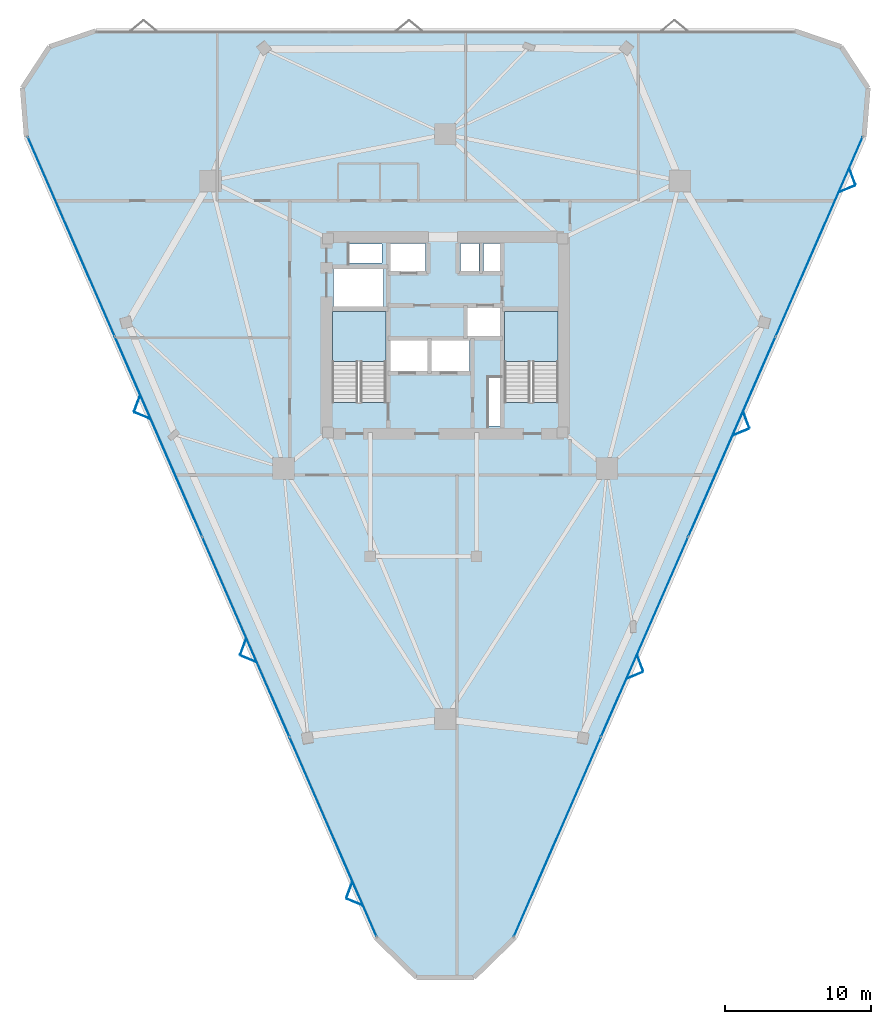
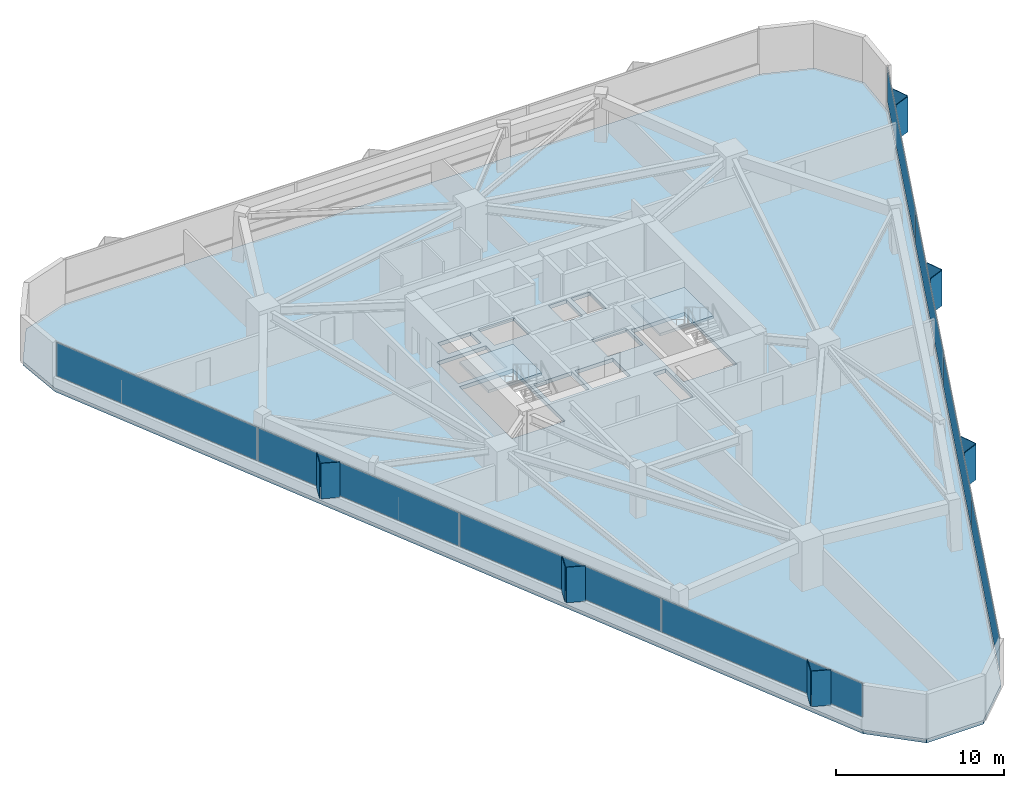
# One storey, part 10 of 14: 20 plates, 3 slabs, 4 elements without a shape of their own.
"""IFC4 building model written with IfcOpenShell, lengths in metres."""

from ifc_helpers import new_model, si_unit, direction, frame, origin, origin_2d, place, context, subcontext, project, spatial, polyline, rectangle, outline, extrude, material, layer, layer_set, type_object, element, aggregate, save


model = new_model("IFC4")

# Units and contexts
model_context = context("Model", 3, precision=1e-05, world=origin(), true_north=direction((0.0, 1.0)))
body_context = subcontext(model_context, "Body", "Model", "MODEL_VIEW")
ifc_project = project(units=[si_unit("LENGTHUNIT", "METRE"), si_unit("AREAUNIT", "SQUARE_METRE"), si_unit("VOLUMEUNIT", "CUBIC_METRE"), si_unit("PLANEANGLEUNIT", "RADIAN"), si_unit("MASSUNIT", "GRAM", prefix="KILO")], contexts=[model_context])

# Site, building, storey
site_placement = place(None, origin())
site = spatial("IfcSite", under=ifc_project, at=site_placement, CompositionType="ELEMENT")
building_placement = place(site_placement, origin())
building = spatial("IfcBuilding", under=site, at=building_placement, Name="Talyreon Biosciences Tower", CompositionType="ELEMENT")
storey_placement = place(building_placement, frame((0.0, 0.0, 138.14990234375)))
storey = spatial("IfcBuildingStorey", under=building, at=storey_placement, Name="L36", CompositionType="ELEMENT", Elevation=138.14990234375)

# Curtain wall, plates
ifc_material_1 = material(Name="Thermally broken aluminium and low-E glazing", Category="aluminium")
ifc_layer_1 = layer(ifc_material_1, 0.18505859375)
ifc_layer_set_1 = layer_set([ifc_layer_1], Name="Thermally broken aluminium and low-E glazing")
curtain_wall_type = type_object("IfcCurtainWallType", Name="CurtainWall_Zone3Bioprocess", PredefinedType="NOTDEFINED", material=ifc_layer_set_1)
curtain_wall_1_placement = place(storey_placement, origin())
curtain_wall_1 = element("IfcCurtainWall", 1, at=curtain_wall_1_placement, inside=storey, type_object=curtain_wall_type, Name="L36 Unitised Curtain Wall FCW-L36-00", PredefinedType="NOTDEFINED")
ifc_material_2 = material(Name="Triple-silver low-E insulated glazing", Category="glass")
ifc_layer_2 = layer(ifc_material_2, 0.031982421875)
ifc_layer_set_2 = layer_set([ifc_layer_2], Name="Triple-silver low-E insulated glazing")
plate_type_1 = type_object("IfcPlateType", Name="CWGlazingPanel_32", PredefinedType="CURTAIN_PANEL", material=ifc_layer_set_2)
plate_1_placement = place(storey_placement, frame((58.305908203125, 33.604736328125, 0.875), z_axis=(0.0, 0.0, 1.0), x_axis=(-0.399882429801, 0.916566441856, 0.0)))
plate_1 = element("IfcPlate", 2, at=plate_1_placement, type_object=plate_type_1, Name="CW4 panel 1.1", PredefinedType="CURTAIN_PANEL", context=body_context, shape_type="SweptSolid", body=[
    extrude(rectangle(XDim=14.88037109375, YDim=0.031982421875, at=origin_2d()), origin(), (0.0, 0.0, 1.0), 2.43505859375),
])
plate_2_placement = place(storey_placement, frame((52.322998046875, 47.318115234375, 0.875), z_axis=(0.0, 0.0, 1.0), x_axis=(-0.399882429801, 0.916566441856, 0.0)))
plate_2 = element("IfcPlate", 3, at=plate_2_placement, type_object=plate_type_1, Name="CW4 panel 2.1", PredefinedType="CURTAIN_PANEL", context=body_context, shape_type="SweptSolid", body=[
    extrude(rectangle(XDim=14.9130859375, YDim=0.031982421875, at=origin_2d()), origin(), (0.0, 0.0, 1.0), 2.43505859375),
])
plate_3_placement = place(storey_placement, frame((46.333740234375, 61.04638671875, 0.875), z_axis=(0.0, 0.0, 1.0), x_axis=(-0.399882429801, 0.916566441856, 0.0)))
plate_3 = element("IfcPlate", 4, at=plate_3_placement, type_object=plate_type_1, Name="CW4 panel 3.1", PredefinedType="CURTAIN_PANEL", context=body_context, shape_type="SweptSolid", body=[
    extrude(rectangle(XDim=14.9130859375, YDim=0.031982421875, at=origin_2d()), origin(), (0.0, 0.0, 1.0), 2.43505859375),
])
plate_4_placement = place(storey_placement, frame((40.350830078125, 74.759765625, 0.875), z_axis=(0.0, 0.0, 1.0), x_axis=(-0.399882429801, 0.916566441856, 0.0)))
plate_4 = element("IfcPlate", 5, at=plate_4_placement, type_object=plate_type_1, Name="CW4 panel 4.1", PredefinedType="CURTAIN_PANEL", context=body_context, shape_type="SweptSolid", body=[
    extrude(rectangle(XDim=14.88037109375, YDim=0.031982421875, at=origin_2d()), origin(), (0.0, 0.0, 1.0), 2.43505859375),
])
aggregate(curtain_wall_1, [plate_1, plate_2, plate_3, plate_4])

curtain_wall_2_placement = place(storey_placement, origin())
curtain_wall_2 = element("IfcCurtainWall", 6, at=curtain_wall_2_placement, inside=storey, type_object=curtain_wall_type, Name="L36 Unitised Curtain Wall FCW-L36-08", PredefinedType="NOTDEFINED")
plate_5_placement = place(storey_placement, frame((91.649169921875, 74.759765625, 0.875), z_axis=(0.0, 0.0, 1.0), x_axis=(-0.399882429801, -0.916566441856, 0.0)))
plate_5 = element("IfcPlate", 7, at=plate_5_placement, type_object=plate_type_1, Name="CW4 panel 1.1", PredefinedType="CURTAIN_PANEL", context=body_context, shape_type="SweptSolid", body=[
    extrude(rectangle(XDim=14.88037109375, YDim=0.031982421875, at=origin_2d()), origin(), (0.0, 0.0, 1.0), 2.43505859375),
])
plate_6_placement = place(storey_placement, frame((85.666259765625, 61.04638671875, 0.875), z_axis=(0.0, 0.0, 1.0), x_axis=(-0.399882429801, -0.916566441856, 0.0)))
plate_6 = element("IfcPlate", 8, at=plate_6_placement, type_object=plate_type_1, Name="CW4 panel 2.1", PredefinedType="CURTAIN_PANEL", context=body_context, shape_type="SweptSolid", body=[
    extrude(rectangle(XDim=14.9130859375, YDim=0.031982421875, at=origin_2d()), origin(), (0.0, 0.0, 1.0), 2.43505859375),
])
plate_7_placement = place(storey_placement, frame((79.677001953125, 47.318115234375, 0.875), z_axis=(0.0, 0.0, 1.0), x_axis=(-0.399882429801, -0.916566441856, 0.0)))
plate_7 = element("IfcPlate", 9, at=plate_7_placement, type_object=plate_type_1, Name="CW4 panel 3.1", PredefinedType="CURTAIN_PANEL", context=body_context, shape_type="SweptSolid", body=[
    extrude(rectangle(XDim=14.9130859375, YDim=0.031982421875, at=origin_2d()), origin(), (0.0, 0.0, 1.0), 2.43505859375),
])
plate_8_placement = place(storey_placement, frame((73.694091796875, 33.604736328125, 0.875), z_axis=(0.0, 0.0, 1.0), x_axis=(-0.399882429801, -0.916566441856, 0.0)))
plate_8 = element("IfcPlate", 10, at=plate_8_placement, type_object=plate_type_1, Name="CW4 panel 4.1", PredefinedType="CURTAIN_PANEL", context=body_context, shape_type="SweptSolid", body=[
    extrude(rectangle(XDim=14.88037109375, YDim=0.031982421875, at=origin_2d()), origin(), (0.0, 0.0, 1.0), 2.43505859375),
])
aggregate(curtain_wall_2, [plate_5, plate_6, plate_7, plate_8])

# Plates
ifc_material_3 = material(Name="Ivory GFRC sunshade panel", Category="concrete")
ifc_layer_3 = layer(ifc_material_3, 0.044921875)
ifc_layer_set_3 = layer_set([ifc_layer_3], Name="Ivory GFRC sunshade panel")
plate_type_2 = type_object("IfcPlateType", Name="FoldedVSunshade_SunFace_SUNSHADE", PredefinedType="USERDEFINED", material=ifc_layer_set_3)
for number, where, z_axis, x_axis, name in (
    (11, (59.7763671875, 29.134521484375, 0.7900390625), (0.0, 0.0, 1.0), (-0.924353038144, 0.381538282317, 0.0), "L36 Folded V-Sunshade Panel 00.01L"),
    (12, (59.41650390625, 29.959228515625, 0.7900390625), (0.0, 0.0, 1.0), (0.349046403698, 0.937105441274, 0.0), "L36 Folded V-Sunshade Panel 00.01R"),
    (13, (52.498291015625, 45.81591796875, 0.7900390625), (0.0, 0.0, 1.0), (-0.924353038144, 0.381538282317, 0.0), "L36 Folded V-Sunshade Panel 00.02L"),
    (14, (52.138427734375, 46.640869140625, 0.7900390625), (0.0, 0.0, 1.0), (0.349046403698, 0.937105441274, 0.0), "L36 Folded V-Sunshade Panel 00.02R"),
    (15, (45.220458984375, 62.497314453125, 0.7900390625), (0.0, 0.0, 1.0), (-0.924353038144, 0.381538282317, 0.0), "L36 Folded V-Sunshade Panel 00.03L"),
    (16, (44.860595703125, 63.322265625, 0.7900390625), (0.0, 0.0, 1.0), (0.349046403698, 0.937105441274, 0.0), "L36 Folded V-Sunshade Panel 00.03R"),
    (17, (93.926025390625, 78.878173828125, 0.7900390625), (0.0, 0.0, 1.0), (0.349046403698, -0.937105441274, 0.0), "L36 Folded V-Sunshade Panel 08.01L"),
    (18, (93.566162109375, 78.05322265625, 0.7900390625), (0.0, 0.0, 1.0), (-0.924353038144, -0.381538282317, 0.0), "L36 Folded V-Sunshade Panel 08.01R"),
    (19, (86.648193359375, 62.196533203125, 0.7900390625), (0.0, 0.0, 1.0), (0.349046403698, -0.937105441274, 0.0), "L36 Folded V-Sunshade Panel 08.02L"),
    (20, (86.288330078125, 61.37158203125, 0.7900390625), (0.0, 0.0, 1.0), (-0.924353038144, -0.381538282317, 0.0), "L36 Folded V-Sunshade Panel 08.02R"),
    (21, (79.370361328125, 45.51513671875, 0.7900390625), (0.0, 0.0, 1.0), (0.349046403698, -0.937105441274, 0.0), "L36 Folded V-Sunshade Panel 08.03L"),
    (22, (79.010498046875, 44.690185546875, 0.7900390625), (0.0, 0.0, 1.0), (-0.924353038144, -0.381538282317, 0.0), "L36 Folded V-Sunshade Panel 08.03R"),
):
    element("IfcPlate", number, at=place(storey_placement, frame(where, z_axis=z_axis, x_axis=x_axis)), inside=storey, type_object=plate_type_2, Name=name, ObjectType="SUNSHADE", PredefinedType="USERDEFINED", context=body_context, shape_type="SweptSolid", body=[
        extrude(rectangle(XDim=1.14990234375, YDim=0.044921875, at=origin_2d()), origin(), (0.0, 0.0, 1.0), 2.5849609375),
    ])

# Stair, slab
ifc_material_4 = material(Name="Concrete C40/50", Category="concrete")
stair_type = type_object("IfcStairType", Name="DoglegEscapeStair_3650", PredefinedType="HALF_TURN_STAIR", material=ifc_material_4)
stair_1_placement = place(storey_placement, origin())
stair_1 = element("IfcStair", 23, at=stair_1_placement, inside=storey, type_object=stair_type, Name="L36 Core Escape Stair 1", PredefinedType="HALF_TURN_STAIR")
ifc_layer_4 = layer(ifc_material_4, 0.199951171875)
ifc_layer_set_4 = layer_set([ifc_layer_4], Name="Concrete C40/50")
slab_type_1 = type_object("IfcSlabType", Name="StairLandingSlab_200", PredefinedType="LANDING", material=ifc_layer_set_4)
slab_1_placement = place(storey_placement, frame((0.0, 0.0, 1.625)))
slab_1 = element("IfcSlab", 24, at=slab_1_placement, type_object=slab_type_1, Name="ST-1 landing 1", PredefinedType="LANDING", context=body_context, shape_type="SweptSolid", body=[
    extrude(outline(polyline([(61.929931640625, 66.199951171875), (61.929931640625, 69.64990234375), (58.25, 69.64990234375), (58.25, 66.199951171875), (61.929931640625, 66.199951171875)])), origin(), (0.0, 0.0, 1.0), 0.2001953125),
])
aggregate(stair_1, [slab_1])

stair_2_placement = place(storey_placement, origin())
stair_2 = element("IfcStair", 25, at=stair_2_placement, inside=storey, type_object=stair_type, Name="L36 Core Escape Stair 2", PredefinedType="HALF_TURN_STAIR")
slab_2_placement = place(storey_placement, frame((0.0, 0.0, 1.625)))
slab_2 = element("IfcSlab", 26, at=slab_2_placement, type_object=slab_type_1, Name="ST-2 landing 1", PredefinedType="LANDING", context=body_context, shape_type="SweptSolid", body=[
    extrude(outline(polyline([(73.75, 66.199951171875), (73.75, 69.64990234375), (70.070068359375, 69.64990234375), (70.070068359375, 66.199951171875), (73.75, 66.199951171875)])), origin(), (0.0, 0.0, 1.0), 0.2001953125),
])
aggregate(stair_2, [slab_2])

# Slab
ifc_layer_5 = layer(ifc_material_4, 0.27490234375)
ifc_layer_set_5 = layer_set([ifc_layer_5], Name="Concrete C40/50")
slab_type_2 = type_object("IfcSlabType", Name="WetLabFloorSlab_275", PredefinedType="FLOOR", material=ifc_layer_set_5)
slab_3_placement = place(storey_placement, frame((0.0, 0.0, -0.27490234375)))
element("IfcSlab", 27, at=slab_3_placement, inside=storey, type_object=slab_type_2, Name="L36 Structural Floor Slab", PredefinedType="FLOOR", context=body_context, shape_type="SweptSolid", body=[
    extrude(outline(polyline([(61.23388671875, 26.693603515625), (37.276123046875, 81.606689453125), (37.003173828125, 84.969482421875), (38.85107421875, 87.791748046875), (42.042236328125, 88.88623046875), (89.957763671875, 88.88623046875), (93.14892578125, 87.791748046875), (94.996826171875, 84.969482421875), (94.723876953125, 81.606689453125), (70.76611328125, 26.693603515625), (67.9599609375, 23.95654296875), (64.0400390625, 23.95654296875), (61.23388671875, 26.693603515625)]), holes=[polyline([(61.929931640625, 69.64990234375), (61.929931640625, 63.407958984375), (58.25, 63.407958984375), (58.25, 69.64990234375), (61.929931640625, 69.64990234375)]), polyline([(64.800048828125, 67.64990234375), (64.800048828125, 65.550048828125), (62.199951171875, 65.550048828125), (62.199951171875, 67.64990234375), (64.800048828125, 67.64990234375)]), polyline([(67.64990234375, 67.64990234375), (67.64990234375, 65.550048828125), (65.050048828125, 65.550048828125), (65.050048828125, 67.64990234375), (67.64990234375, 67.64990234375)]), polyline([(61.75, 69.97998046875), (58.35009765625, 69.97998046875), (58.35009765625, 72.550048828125), (61.75, 72.550048828125), (61.75, 69.97998046875)]), polyline([(64.64990234375, 72.35009765625), (62.199951171875, 72.35009765625), (62.199951171875, 74.300048828125), (64.64990234375, 74.300048828125), (64.64990234375, 72.35009765625)]), polyline([(61.64990234375, 74.25), (61.64990234375, 72.9599609375), (59.39990234375, 72.9599609375), (59.39990234375, 74.25), (61.64990234375, 74.25)]), polyline([(69.820068359375, 61.800048828125), (68.9599609375, 61.800048828125), (68.9599609375, 65.10009765625), (69.820068359375, 65.10009765625), (69.820068359375, 61.800048828125)]), polyline([(73.75, 63.407958984375), (70.070068359375, 63.407958984375), (70.070068359375, 69.64990234375), (73.75, 69.64990234375), (73.75, 63.407958984375)]), polyline([(69.89990234375, 69.949951171875), (69.89990234375, 67.949951171875), (67.5, 67.949951171875), (67.5, 69.949951171875), (69.89990234375, 69.949951171875)]), polyline([(68.300048828125, 72.35009765625), (67.050048828125, 72.35009765625), (67.050048828125, 74.300048828125), (68.300048828125, 74.300048828125), (68.300048828125, 72.35009765625)]), polyline([(69.919921875, 72.35009765625), (68.6201171875, 72.35009765625), (68.6201171875, 74.300048828125), (69.919921875, 74.300048828125), (69.919921875, 72.35009765625)])]), origin(), (0.0, 0.0, 1.0), 0.27490234375),
])

save(model, "model.ifc")
